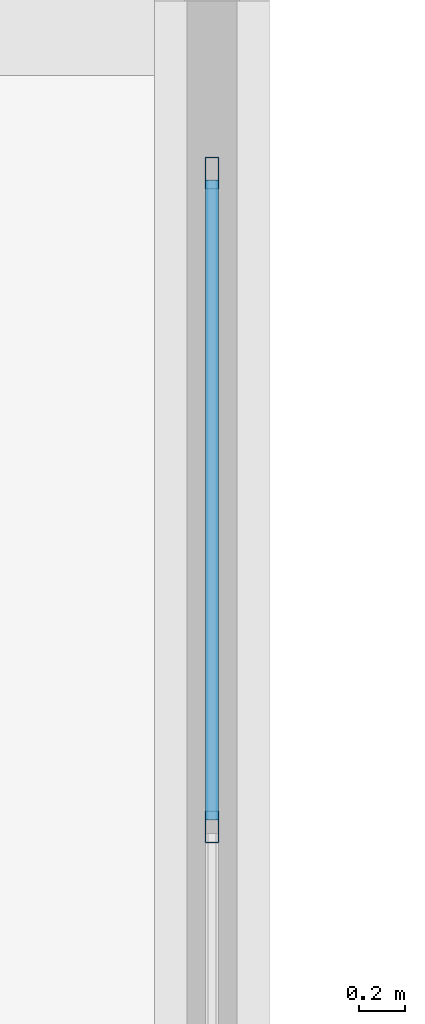
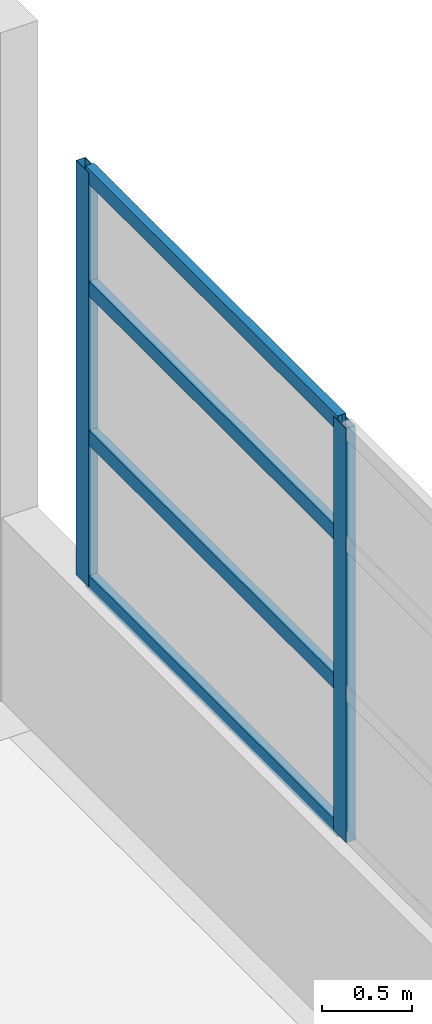
# One storey, part 69 of 181: 6 members, 1 element without a shape of its own.
"""IFC4 building model written with IfcOpenShell, lengths in metres."""

from ifc_helpers import new_model, si_unit, direction, frame, origin, origin_2d, place, context, subcontext, project, spatial, hollow_rectangle, extrude, material, layer, layer_set, material_profile, profile_set, type_object, element, aggregate, save


model = new_model("IFC4")

# Units and contexts
model_context = context("Model", 3, precision=1e-05, world=origin(), true_north=direction((0.0, 1.0)))
body_context = subcontext(model_context, "Body", "Model", "MODEL_VIEW")
ifc_project = project(units=[si_unit("LENGTHUNIT", "METRE"), si_unit("AREAUNIT", "SQUARE_METRE"), si_unit("VOLUMEUNIT", "CUBIC_METRE"), si_unit("PLANEANGLEUNIT", "RADIAN"), si_unit("MASSUNIT", "GRAM", prefix="KILO")], contexts=[model_context])

# Site, building, storey
site_placement = place(None, origin())
site = spatial("IfcSite", under=ifc_project, at=site_placement, CompositionType="ELEMENT")
building_placement = place(site_placement, origin())
building = spatial("IfcBuilding", under=site, at=building_placement, Name="Seraya Terrace Polytechnic", CompositionType="ELEMENT")
storey_placement = place(building_placement, frame((0.0, 0.0, 4.800048828125)))
storey = spatial("IfcBuildingStorey", under=building, at=storey_placement, Name="L01", CompositionType="ELEMENT", Elevation=4.800048828125)

# Curtain wall, members
ifc_material = material(Name="Anodised aluminium EN AW-6063 T6", Category="aluminium")
ifc_layer = layer(ifc_material, 0.179931640625, Name="CW-09")
ifc_layer_set = layer_set([ifc_layer], Name="Anodised aluminium EN AW-6063 T6")
curtain_wall_type = type_object("IfcCurtainWallType", Name="CW-09", PredefinedType="NOTDEFINED", material=ifc_layer_set)
curtain_wall_placement = place(storey_placement, origin())
curtain_wall = element("IfcCurtainWall", 1, at=curtain_wall_placement, inside=storey, type_object=curtain_wall_type, Name="Unitised curtain wall CW-09 (CW-L01-009)", PredefinedType="NOTDEFINED")
ifc_material_profile_1 = material_profile(ifc_material, hollow_rectangle(XDim=0.06005859375, YDim=0.139892578125, WallThickness=0.00341796875, at=origin_2d()), Name="RHS 140x60x3.5")
ifc_profile_set_1 = profile_set([ifc_material_profile_1], Name="Anodised aluminium EN AW-6063 T6")
member_type_1 = type_object("IfcMemberType", Name="CWM-03", PredefinedType="MULLION", material=ifc_profile_set_1)
member_1_placement = place(storey_placement, frame((28.800048828125, 92.85009765625, 1.239990234375), z_axis=(0.0, 0.0, 1.0), x_axis=(1.0, 0.0, 0.0)))
member_1 = element("IfcMember", 2, at=member_1_placement, type_object=member_type_1, Name="CW-09 mullion 1", PredefinedType="MULLION", context=body_context, shape_type="SweptSolid", body=[
    extrude(hollow_rectangle(XDim=0.06005859375, YDim=0.139892578125, WallThickness=0.00341796875, at=origin_2d()), origin(), (0.0, 0.0, 1.0), 2.800048828125),
])
member_2_placement = place(storey_placement, frame((28.800048828125, 90.0, 1.239990234375), z_axis=(0.0, 0.0, 1.0), x_axis=(1.0, 0.0, 0.0)))
member_2 = element("IfcMember", 3, at=member_2_placement, type_object=member_type_1, Name="CW-09 mullion 2", PredefinedType="MULLION", context=body_context, shape_type="SweptSolid", body=[
    extrude(hollow_rectangle(XDim=0.06005859375, YDim=0.139892578125, WallThickness=0.00341796875, at=origin_2d()), origin(), (0.0, 0.0, 1.0), 2.800048828125),
])
ifc_material_profile_2 = material_profile(ifc_material, hollow_rectangle(XDim=0.054931640625, YDim=0.10009765625, WallThickness=0.0029296875, at=origin_2d()), Name="RHS 100x55x3.0")
ifc_profile_set_2 = profile_set([ifc_material_profile_2], Name="Anodised aluminium EN AW-6063 T6")
member_type_2 = type_object("IfcMemberType", Name="CWT-03", PredefinedType="USERDEFINED", material=ifc_profile_set_2)
member_3_placement = place(storey_placement, frame((28.800048828125, 92.820068359375, 1.267333984375), z_axis=(0.0, -1.0, 0.0), x_axis=(1.0, 0.0, 0.0)))
member_3 = element("IfcMember", 4, at=member_3_placement, type_object=member_type_2, Name="CW-09 transom 1.1", ObjectType="TRANSOM", PredefinedType="USERDEFINED", context=body_context, shape_type="SweptSolid", body=[
    extrude(hollow_rectangle(XDim=0.054931640625, YDim=0.10009765625, WallThickness=0.0029296875, at=origin_2d()), origin(), (0.0, 0.0, 1.0), 2.7900390625),
])
member_4_placement = place(storey_placement, frame((28.800048828125, 92.820068359375, 2.248046875), z_axis=(0.0, -1.0, 0.0), x_axis=(1.0, 0.0, 0.0)))
member_4 = element("IfcMember", 5, at=member_4_placement, type_object=member_type_2, Name="CW-09 transom 1.2", ObjectType="TRANSOM", PredefinedType="USERDEFINED", context=body_context, shape_type="SweptSolid", body=[
    extrude(hollow_rectangle(XDim=0.054931640625, YDim=0.10009765625, WallThickness=0.0029296875, at=origin_2d()), origin(), (0.0, 0.0, 1.0), 2.7900390625),
])
member_5_placement = place(storey_placement, frame((28.800048828125, 92.820068359375, 3.255859375), z_axis=(0.0, -1.0, 0.0), x_axis=(1.0, 0.0, 0.0)))
member_5 = element("IfcMember", 6, at=member_5_placement, type_object=member_type_2, Name="CW-09 transom 1.3", ObjectType="TRANSOM", PredefinedType="USERDEFINED", context=body_context, shape_type="SweptSolid", body=[
    extrude(hollow_rectangle(XDim=0.054931640625, YDim=0.10009765625, WallThickness=0.0029296875, at=origin_2d()), origin(), (0.0, 0.0, 1.0), 2.7900390625),
])
member_6_placement = place(storey_placement, frame((28.800048828125, 92.820068359375, 4.012451171875), z_axis=(0.0, -1.0, 0.0), x_axis=(1.0, 0.0, 0.0)))
member_6 = element("IfcMember", 7, at=member_6_placement, type_object=member_type_2, Name="CW-09 transom 1.4", ObjectType="TRANSOM", PredefinedType="USERDEFINED", context=body_context, shape_type="SweptSolid", body=[
    extrude(hollow_rectangle(XDim=0.054931640625, YDim=0.10009765625, WallThickness=0.0029296875, at=origin_2d()), origin(), (0.0, 0.0, 1.0), 2.7900390625),
])
aggregate(curtain_wall, [member_1, member_2, member_3, member_4, member_5, member_6])

save(model, "model.ifc")
